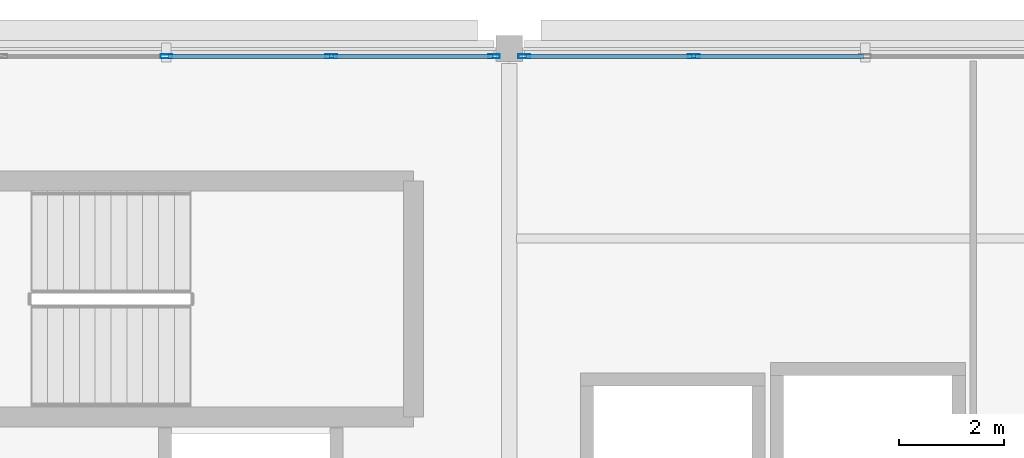
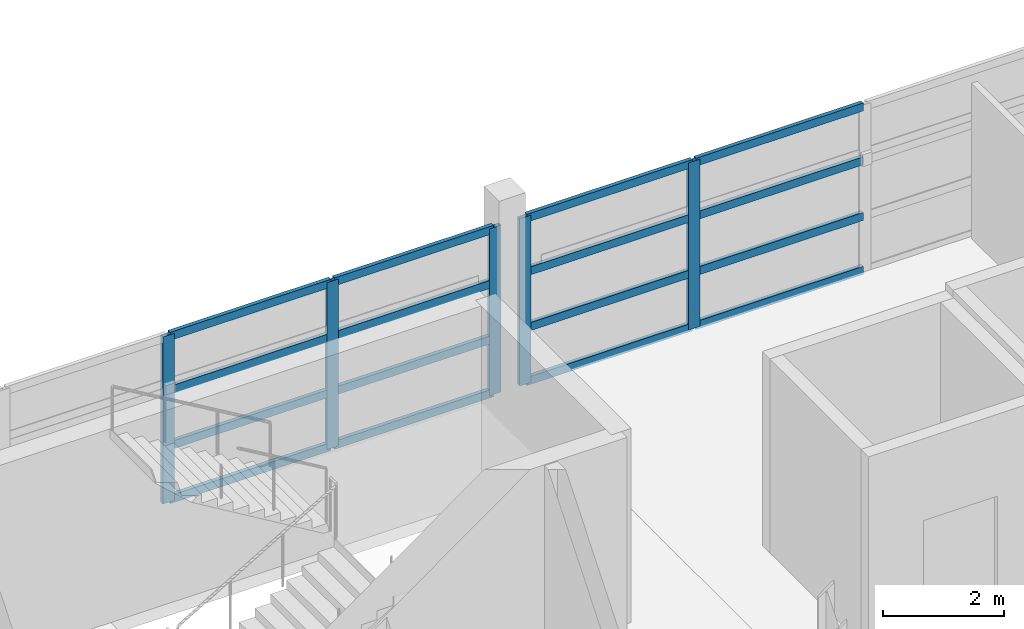
# One storey, part 55 of 110: 21 members, 2 elements without a shape of their own.
"""IFC4 building model written with IfcOpenShell, lengths in metres."""

from ifc_helpers import new_model, si_unit, direction, frame, origin, origin_2d, place, context, subcontext, project, spatial, hollow_rectangle, extrude, material, layer, layer_set, material_profile, profile_set, type_object, element, aggregate, save


model = new_model("IFC4")

# Units and contexts
model_context = context("Model", 3, precision=1e-05, world=origin(), true_north=direction((0.0, 1.0)))
body_context = subcontext(model_context, "Body", "Model", "MODEL_VIEW")
ifc_project = project(units=[si_unit("LENGTHUNIT", "METRE"), si_unit("AREAUNIT", "SQUARE_METRE"), si_unit("VOLUMEUNIT", "CUBIC_METRE"), si_unit("PLANEANGLEUNIT", "RADIAN"), si_unit("MASSUNIT", "GRAM", prefix="KILO")], contexts=[model_context])

# Site, building, storey
site_placement = place(None, origin())
site = spatial("IfcSite", under=ifc_project, at=site_placement, CompositionType="ELEMENT")
building_placement = place(site_placement, origin())
building = spatial("IfcBuilding", under=site, at=building_placement, Name="Tamarisk Ironworks Central Station", CompositionType="ELEMENT")
storey_placement = place(building_placement, frame((0.0, 0.0, 17.39990234375)))
storey = spatial("IfcBuildingStorey", under=building, at=storey_placement, Name="L03", CompositionType="ELEMENT", Elevation=17.39990234375)

# Curtain wall, members
ifc_material = material(Name="Anodized aluminium alloy 6063-T6", Category="aluminium")
ifc_layer = layer(ifc_material, 0.179931640625)
ifc_layer_set = layer_set([ifc_layer], Name="Anodized aluminium alloy 6063-T6")
curtain_wall_type = type_object("IfcCurtainWallType", Name="CW-18", PredefinedType="USERDEFINED", material=ifc_layer_set)
curtain_wall_1_placement = place(storey_placement, origin())
curtain_wall_1 = element("IfcCurtainWall", 1, at=curtain_wall_1_placement, inside=storey, type_object=curtain_wall_type, Name="Operations L03 north facade curtain wall 140", ObjectType="GLAZED CURTAIN WALL", PredefinedType="USERDEFINED")
ifc_material_profile_1 = material_profile(ifc_material, hollow_rectangle(XDim=0.074951171875, YDim=0.219970703125, WallThickness=0.00390625, at=origin_2d()), Name="ALUM 220x75")
ifc_profile_set_1 = profile_set([ifc_material_profile_1], Name="Anodized aluminium alloy 6063-T6")
member_type_1 = type_object("IfcMemberType", Name="CWM-01", PredefinedType="MULLION", material=ifc_profile_set_1)
member_1_placement = place(storey_placement, frame((146.5, 122.25, 0.0), z_axis=(0.0, 0.0, 1.0), x_axis=(0.0, 1.0, 0.0)))
member_1 = element("IfcMember", 2, at=member_1_placement, type_object=member_type_1, Name="CW18 mullion 3", PredefinedType="MULLION", context=body_context, shape_type="SweptSolid", body=[
    extrude(hollow_rectangle(XDim=0.074951171875, YDim=0.219970703125, WallThickness=0.00390625, at=origin_2d()), origin(), (0.0, 0.0, 1.0), 3.360107421875),
])
member_2_placement = place(storey_placement, frame((149.6259765625, 122.25, 0.0), z_axis=(0.0, 0.0, 1.0), x_axis=(0.0, 1.0, 0.0)))
member_2 = element("IfcMember", 3, at=member_2_placement, type_object=member_type_1, Name="CW18 mullion 4", PredefinedType="MULLION", context=body_context, shape_type="SweptSolid", body=[
    extrude(hollow_rectangle(XDim=0.074951171875, YDim=0.219970703125, WallThickness=0.00390625, at=origin_2d()), origin(), (0.0, 0.0, 1.0), 3.360107421875),
])
member_3_placement = place(storey_placement, frame((152.714599609375, 122.25, 0.0), z_axis=(0.0, 0.0, 1.0), x_axis=(0.0, 1.0, 0.0)))
member_3 = element("IfcMember", 4, at=member_3_placement, type_object=member_type_1, Name="CW18 mullion 5", PredefinedType="MULLION", context=body_context, shape_type="SweptSolid", body=[
    extrude(hollow_rectangle(XDim=0.074951171875, YDim=0.219970703125, WallThickness=0.00390625, at=origin_2d()), origin(), (0.0, 0.0, 1.0), 3.360107421875),
])

curtain_wall_2_placement = place(storey_placement, origin())
curtain_wall_2 = element("IfcCurtainWall", 5, at=curtain_wall_2_placement, inside=storey, type_object=curtain_wall_type, Name="Operations L03 north facade curtain wall 153", ObjectType="GLAZED CURTAIN WALL", PredefinedType="USERDEFINED")
member_4_placement = place(storey_placement, frame((153.285400390625, 122.25, 0.0), z_axis=(0.0, 0.0, 1.0), x_axis=(0.0, 1.0, 0.0)))
member_4 = element("IfcMember", 6, at=member_4_placement, type_object=member_type_1, Name="CW18 mullion 1", PredefinedType="MULLION", context=body_context, shape_type="SweptSolid", body=[
    extrude(hollow_rectangle(XDim=0.074951171875, YDim=0.219970703125, WallThickness=0.00390625, at=origin_2d()), origin(), (0.0, 0.0, 1.0), 3.360107421875),
])
member_5_placement = place(storey_placement, frame((156.4990234375, 122.25, 0.0), z_axis=(0.0, 0.0, 1.0), x_axis=(0.0, 1.0, 0.0)))
member_5 = element("IfcMember", 7, at=member_5_placement, type_object=member_type_1, Name="CW18 mullion 2", PredefinedType="MULLION", context=body_context, shape_type="SweptSolid", body=[
    extrude(hollow_rectangle(XDim=0.074951171875, YDim=0.219970703125, WallThickness=0.00390625, at=origin_2d()), origin(), (0.0, 0.0, 1.0), 3.360107421875),
])

# Member
ifc_material_profile_2 = material_profile(ifc_material, hollow_rectangle(XDim=0.074951171875, YDim=0.159912109375, WallThickness=0.00390625, at=origin_2d()), Name="ALUM 160x75")
ifc_profile_set_2 = profile_set([ifc_material_profile_2], Name="Anodized aluminium alloy 6063-T6")
member_type_2 = type_object("IfcMemberType", Name="CWT-01", PredefinedType="USERDEFINED", material=ifc_profile_set_2)
member_6_placement = place(storey_placement, frame((146.533447265625, 122.25, 0.03759765625), z_axis=(1.0, 0.0, 0.0), x_axis=(0.0, 1.0, 0.0)))
member_6 = element("IfcMember", 8, at=member_6_placement, type_object=member_type_2, Name="CW18 transom 3.1", ObjectType="TRANSOM", PredefinedType="USERDEFINED", context=body_context, shape_type="SweptSolid", body=[
    extrude(hollow_rectangle(XDim=0.074951171875, YDim=0.159912109375, WallThickness=0.00390625, at=origin_2d()), origin(), (0.0, 0.0, 1.0), 3.05908203125),
])

member_7_placement = place(storey_placement, frame((146.533447265625, 122.25, 1.1201171875), z_axis=(1.0, 0.0, 0.0), x_axis=(0.0, 1.0, 0.0)))
member_7 = element("IfcMember", 9, at=member_7_placement, type_object=member_type_2, Name="CW18 transom 3.2", ObjectType="TRANSOM", PredefinedType="USERDEFINED", context=body_context, shape_type="SweptSolid", body=[
    extrude(hollow_rectangle(XDim=0.074951171875, YDim=0.159912109375, WallThickness=0.00390625, at=origin_2d()), origin(), (0.0, 0.0, 1.0), 3.05908203125),
])

member_8_placement = place(storey_placement, frame((146.533447265625, 122.25, 2.239990234375), z_axis=(1.0, 0.0, 0.0), x_axis=(0.0, 1.0, 0.0)))
member_8 = element("IfcMember", 10, at=member_8_placement, type_object=member_type_2, Name="CW18 transom 3.3", ObjectType="TRANSOM", PredefinedType="USERDEFINED", context=body_context, shape_type="SweptSolid", body=[
    extrude(hollow_rectangle(XDim=0.074951171875, YDim=0.159912109375, WallThickness=0.00390625, at=origin_2d()), origin(), (0.0, 0.0, 1.0), 3.05908203125),
])

member_9_placement = place(storey_placement, frame((146.533447265625, 122.25, 3.322509765625), z_axis=(1.0, 0.0, 0.0), x_axis=(0.0, 1.0, 0.0)))
member_9 = element("IfcMember", 11, at=member_9_placement, type_object=member_type_2, Name="CW18 transom 3.4", ObjectType="TRANSOM", PredefinedType="USERDEFINED", context=body_context, shape_type="SweptSolid", body=[
    extrude(hollow_rectangle(XDim=0.074951171875, YDim=0.159912109375, WallThickness=0.00390625, at=origin_2d()), origin(), (0.0, 0.0, 1.0), 3.05908203125),
])

member_10_placement = place(storey_placement, frame((149.659423828125, 122.25, 0.03759765625), z_axis=(1.0, 0.0, 0.0), x_axis=(0.0, 1.0, 0.0)))
member_10 = element("IfcMember", 12, at=member_10_placement, type_object=member_type_2, Name="CW18 transom 4.1", ObjectType="TRANSOM", PredefinedType="USERDEFINED", context=body_context, shape_type="SweptSolid", body=[
    extrude(hollow_rectangle(XDim=0.074951171875, YDim=0.159912109375, WallThickness=0.00390625, at=origin_2d()), origin(), (0.0, 0.0, 1.0), 3.021484375),
])

member_11_placement = place(storey_placement, frame((149.659423828125, 122.25, 1.1201171875), z_axis=(1.0, 0.0, 0.0), x_axis=(0.0, 1.0, 0.0)))
member_11 = element("IfcMember", 13, at=member_11_placement, type_object=member_type_2, Name="CW18 transom 4.2", ObjectType="TRANSOM", PredefinedType="USERDEFINED", context=body_context, shape_type="SweptSolid", body=[
    extrude(hollow_rectangle(XDim=0.074951171875, YDim=0.159912109375, WallThickness=0.00390625, at=origin_2d()), origin(), (0.0, 0.0, 1.0), 3.021484375),
])

member_12_placement = place(storey_placement, frame((149.659423828125, 122.25, 2.239990234375), z_axis=(1.0, 0.0, 0.0), x_axis=(0.0, 1.0, 0.0)))
member_12 = element("IfcMember", 14, at=member_12_placement, type_object=member_type_2, Name="CW18 transom 4.3", ObjectType="TRANSOM", PredefinedType="USERDEFINED", context=body_context, shape_type="SweptSolid", body=[
    extrude(hollow_rectangle(XDim=0.074951171875, YDim=0.159912109375, WallThickness=0.00390625, at=origin_2d()), origin(), (0.0, 0.0, 1.0), 3.021484375),
])

member_13_placement = place(storey_placement, frame((149.659423828125, 122.25, 3.322509765625), z_axis=(1.0, 0.0, 0.0), x_axis=(0.0, 1.0, 0.0)))
member_13 = element("IfcMember", 15, at=member_13_placement, type_object=member_type_2, Name="CW18 transom 4.4", ObjectType="TRANSOM", PredefinedType="USERDEFINED", context=body_context, shape_type="SweptSolid", body=[
    extrude(hollow_rectangle(XDim=0.074951171875, YDim=0.159912109375, WallThickness=0.00390625, at=origin_2d()), origin(), (0.0, 0.0, 1.0), 3.021484375),
])

aggregate(curtain_wall_1, [member_1, member_2, member_3, member_6, member_7, member_8, member_9, member_10, member_11, member_12, member_13])

member_14_placement = place(storey_placement, frame((153.319091796875, 122.25, 0.03759765625), z_axis=(1.0, 0.0, 0.0), x_axis=(0.0, 1.0, 0.0)))
member_14 = element("IfcMember", 16, at=member_14_placement, type_object=member_type_2, Name="CW18 transom 1.1", ObjectType="TRANSOM", PredefinedType="USERDEFINED", context=body_context, shape_type="SweptSolid", body=[
    extrude(hollow_rectangle(XDim=0.074951171875, YDim=0.159912109375, WallThickness=0.00390625, at=origin_2d()), origin(), (0.0, 0.0, 1.0), 3.146484375),
])

member_15_placement = place(storey_placement, frame((153.319091796875, 122.25, 1.1201171875), z_axis=(1.0, 0.0, 0.0), x_axis=(0.0, 1.0, 0.0)))
member_15 = element("IfcMember", 17, at=member_15_placement, type_object=member_type_2, Name="CW18 transom 1.2", ObjectType="TRANSOM", PredefinedType="USERDEFINED", context=body_context, shape_type="SweptSolid", body=[
    extrude(hollow_rectangle(XDim=0.074951171875, YDim=0.159912109375, WallThickness=0.00390625, at=origin_2d()), origin(), (0.0, 0.0, 1.0), 3.146484375),
])

member_16_placement = place(storey_placement, frame((153.319091796875, 122.25, 2.239990234375), z_axis=(1.0, 0.0, 0.0), x_axis=(0.0, 1.0, 0.0)))
member_16 = element("IfcMember", 18, at=member_16_placement, type_object=member_type_2, Name="CW18 transom 1.3", ObjectType="TRANSOM", PredefinedType="USERDEFINED", context=body_context, shape_type="SweptSolid", body=[
    extrude(hollow_rectangle(XDim=0.074951171875, YDim=0.159912109375, WallThickness=0.00390625, at=origin_2d()), origin(), (0.0, 0.0, 1.0), 3.146484375),
])

member_17_placement = place(storey_placement, frame((153.319091796875, 122.25, 3.322509765625), z_axis=(1.0, 0.0, 0.0), x_axis=(0.0, 1.0, 0.0)))
member_17 = element("IfcMember", 19, at=member_17_placement, type_object=member_type_2, Name="CW18 transom 1.4", ObjectType="TRANSOM", PredefinedType="USERDEFINED", context=body_context, shape_type="SweptSolid", body=[
    extrude(hollow_rectangle(XDim=0.074951171875, YDim=0.159912109375, WallThickness=0.00390625, at=origin_2d()), origin(), (0.0, 0.0, 1.0), 3.146484375),
])

member_18_placement = place(storey_placement, frame((156.532470703125, 122.25, 0.03759765625), z_axis=(1.0, 0.0, 0.0), x_axis=(0.0, 1.0, 0.0)))
member_18 = element("IfcMember", 20, at=member_18_placement, type_object=member_type_2, Name="CW18 transom 2.1", ObjectType="TRANSOM", PredefinedType="USERDEFINED", context=body_context, shape_type="SweptSolid", body=[
    extrude(hollow_rectangle(XDim=0.074951171875, YDim=0.159912109375, WallThickness=0.00390625, at=origin_2d()), origin(), (0.0, 0.0, 1.0), 3.18408203125),
])

member_19_placement = place(storey_placement, frame((156.532470703125, 122.25, 1.1201171875), z_axis=(1.0, 0.0, 0.0), x_axis=(0.0, 1.0, 0.0)))
member_19 = element("IfcMember", 21, at=member_19_placement, type_object=member_type_2, Name="CW18 transom 2.2", ObjectType="TRANSOM", PredefinedType="USERDEFINED", context=body_context, shape_type="SweptSolid", body=[
    extrude(hollow_rectangle(XDim=0.074951171875, YDim=0.159912109375, WallThickness=0.00390625, at=origin_2d()), origin(), (0.0, 0.0, 1.0), 3.18408203125),
])

member_20_placement = place(storey_placement, frame((156.532470703125, 122.25, 2.239990234375), z_axis=(1.0, 0.0, 0.0), x_axis=(0.0, 1.0, 0.0)))
member_20 = element("IfcMember", 22, at=member_20_placement, type_object=member_type_2, Name="CW18 transom 2.3", ObjectType="TRANSOM", PredefinedType="USERDEFINED", context=body_context, shape_type="SweptSolid", body=[
    extrude(hollow_rectangle(XDim=0.074951171875, YDim=0.159912109375, WallThickness=0.00390625, at=origin_2d()), origin(), (0.0, 0.0, 1.0), 3.18408203125),
])

member_21_placement = place(storey_placement, frame((156.532470703125, 122.25, 3.322509765625), z_axis=(1.0, 0.0, 0.0), x_axis=(0.0, 1.0, 0.0)))
member_21 = element("IfcMember", 23, at=member_21_placement, type_object=member_type_2, Name="CW18 transom 2.4", ObjectType="TRANSOM", PredefinedType="USERDEFINED", context=body_context, shape_type="SweptSolid", body=[
    extrude(hollow_rectangle(XDim=0.074951171875, YDim=0.159912109375, WallThickness=0.00390625, at=origin_2d()), origin(), (0.0, 0.0, 1.0), 3.18408203125),
])

aggregate(curtain_wall_2, [member_4, member_5, member_14, member_15, member_16, member_17, member_18, member_19, member_20, member_21])

save(model, "model.ifc")
